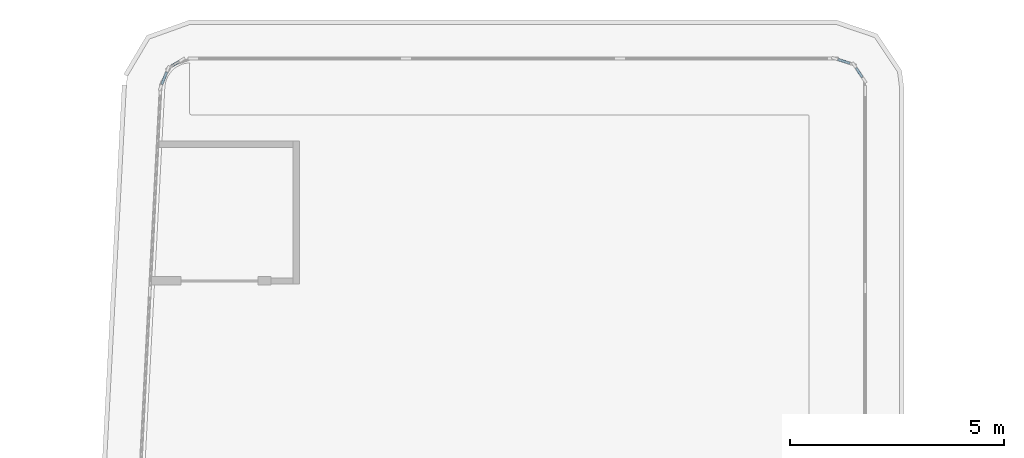
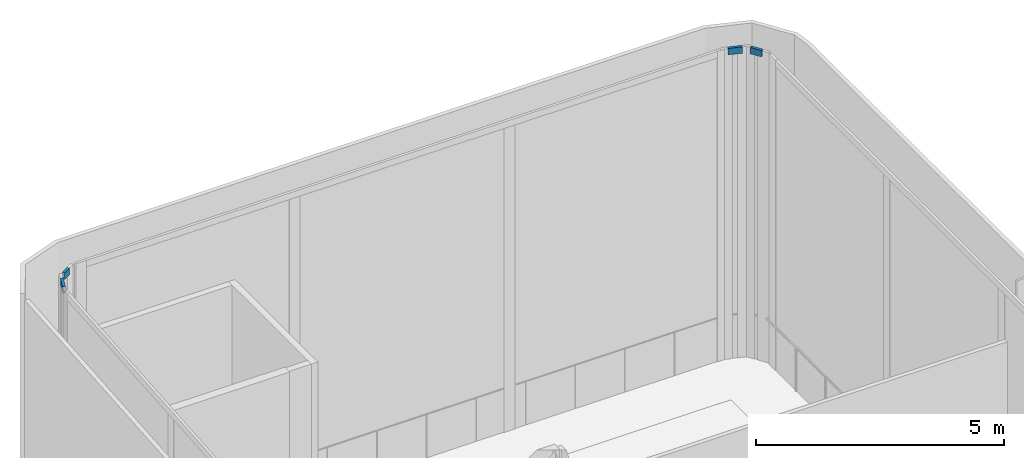
# One storey, part 21 of 37: 4 members, 4 elements without a shape of their own.
"""IFC4 building model written with IfcOpenShell, lengths in metres."""

from ifc_helpers import new_model, si_unit, direction, frame, origin, origin_2d, place, context, subcontext, project, spatial, rectangle, extrude, material, layer, layer_set, material_profile, profile_set, type_object, element, aggregate, save


model = new_model("IFC4")

# Units and contexts
model_context = context("Model", 3, precision=1e-05, world=origin(), true_north=direction((0.0, 1.0)))
body_context = subcontext(model_context, "Body", "Model", "MODEL_VIEW")
ifc_project = project(units=[si_unit("LENGTHUNIT", "METRE"), si_unit("AREAUNIT", "SQUARE_METRE"), si_unit("VOLUMEUNIT", "CUBIC_METRE"), si_unit("PLANEANGLEUNIT", "RADIAN"), si_unit("MASSUNIT", "GRAM", prefix="KILO")], contexts=[model_context])

# Site, building, storey
site_placement = place(None, origin())
site = spatial("IfcSite", under=ifc_project, at=site_placement, CompositionType="ELEMENT")
building_placement = place(site_placement, origin())
building = spatial("IfcBuilding", under=site, at=building_placement, Name="Kheshtan School and Residences Tower", CompositionType="ELEMENT")
storey_placement = place(building_placement, frame((0.0, 0.0, 144.800048828125)))
storey = spatial("IfcBuildingStorey", under=building, at=storey_placement, Name="L34", CompositionType="ELEMENT", Elevation=144.800048828125)

# Curtain wall, member
ifc_material_1 = material(Name="Clear low-e glass in thermally broken aluminium frame", Category="aluminium")
ifc_layer = layer(ifc_material_1, 0.25)
ifc_layer_set = layer_set([ifc_layer], Name="Curtain wall CW-K")
curtain_wall_type = type_object("IfcCurtainWallType", Name="Curtain wall CW-K", PredefinedType="NOTDEFINED", material=ifc_layer_set)
curtain_wall_1_placement = place(storey_placement, origin())
curtain_wall_1 = element("IfcCurtainWall", 1, at=curtain_wall_1_placement, inside=storey, type_object=curtain_wall_type, Name="Curtain wall CWK19", PredefinedType="NOTDEFINED")
ifc_material_2 = material(Name="Thermally broken aluminium, dark bronze anodised", Category="aluminium")
ifc_material_profile = material_profile(ifc_material_2, rectangle(XDim=0.06005859375, YDim=0.159912109375, at=origin_2d()), Name="CW-K transom 60x160")
ifc_profile_set = profile_set([ifc_material_profile], Name="Thermally broken aluminium, dark bronze anodised")
member_type = type_object("IfcMemberType", Name="CW-K transom 60x160", PredefinedType="USERDEFINED", material=ifc_profile_set)
member_1_placement = place(storey_placement, frame((30.75146484375, 98.59375, 7.570068359375), z_axis=(0.370720586552, 0.928744446393, 0.0), x_axis=(-0.928744446393, 0.370720586552, 0.0)))
member_1 = element("IfcMember", 2, at=member_1_placement, type_object=member_type, Name="CWK19 transom 1", ObjectType="TRANSOM", PredefinedType="USERDEFINED", context=body_context, shape_type="SweptSolid", body=[
    extrude(rectangle(XDim=0.06005859375, YDim=0.159912109375, at=origin_2d()), origin(), (0.0, 0.0, 1.0), 0.314208984375),
])
aggregate(curtain_wall_1, [member_1])

curtain_wall_2_placement = place(storey_placement, origin())
curtain_wall_2 = element("IfcCurtainWall", 3, at=curtain_wall_2_placement, inside=storey, type_object=curtain_wall_type, Name="Curtain wall CWK20", PredefinedType="NOTDEFINED")
member_2_placement = place(storey_placement, frame((30.981689453125, 99.0205078125, 7.570068359375), z_axis=(0.851698929261, 0.524031424531, 0.0), x_axis=(-0.524031424531, 0.851698929261, 0.0)))
member_2 = element("IfcMember", 4, at=member_2_placement, type_object=member_type, Name="CWK20 transom 1", ObjectType="TRANSOM", PredefinedType="USERDEFINED", context=body_context, shape_type="SweptSolid", body=[
    extrude(rectangle(XDim=0.06005859375, YDim=0.159912109375, at=origin_2d()), origin(), (0.0, 0.0, 1.0), 0.206298828125),
])
aggregate(curtain_wall_2, [member_2])

curtain_wall_3_placement = place(storey_placement, origin())
curtain_wall_3 = element("IfcCurtainWall", 5, at=curtain_wall_3_placement, inside=storey, type_object=curtain_wall_type, Name="Curtain wall CWK22", PredefinedType="NOTDEFINED")
member_3_placement = place(storey_placement, frame((46.5576171875, 99.177001953125, 7.570068359375), z_axis=(0.95258765561, -0.304264290347, 0.0), x_axis=(0.304264290347, 0.95258765561, 0.0)))
member_3 = element("IfcMember", 6, at=member_3_placement, type_object=member_type, Name="CWK22 transom 1", ObjectType="TRANSOM", PredefinedType="USERDEFINED", context=body_context, shape_type="SweptSolid", body=[
    extrude(rectangle(XDim=0.06005859375, YDim=0.159912109375, at=origin_2d()), origin(), (0.0, 0.0, 1.0), 0.29443359375),
])
aggregate(curtain_wall_3, [member_3])

curtain_wall_4_placement = place(storey_placement, origin())
curtain_wall_4 = element("IfcCurtainWall", 7, at=curtain_wall_4_placement, inside=storey, type_object=curtain_wall_type, Name="Curtain wall CWK23", PredefinedType="NOTDEFINED")
member_4_placement = place(storey_placement, frame((46.9814453125, 98.979736328125, 7.570068359375), z_axis=(0.555554602959, -0.831480055762, 0.0), x_axis=(0.831480055762, 0.555554602959, 0.0)))
member_4 = element("IfcMember", 8, at=member_4_placement, type_object=member_type, Name="CWK23 transom 1", ObjectType="TRANSOM", PredefinedType="USERDEFINED", context=body_context, shape_type="SweptSolid", body=[
    extrude(rectangle(XDim=0.06005859375, YDim=0.159912109375, at=origin_2d()), origin(), (0.0, 0.0, 1.0), 0.263671875),
])
aggregate(curtain_wall_4, [member_4])

save(model, "model.ifc")
